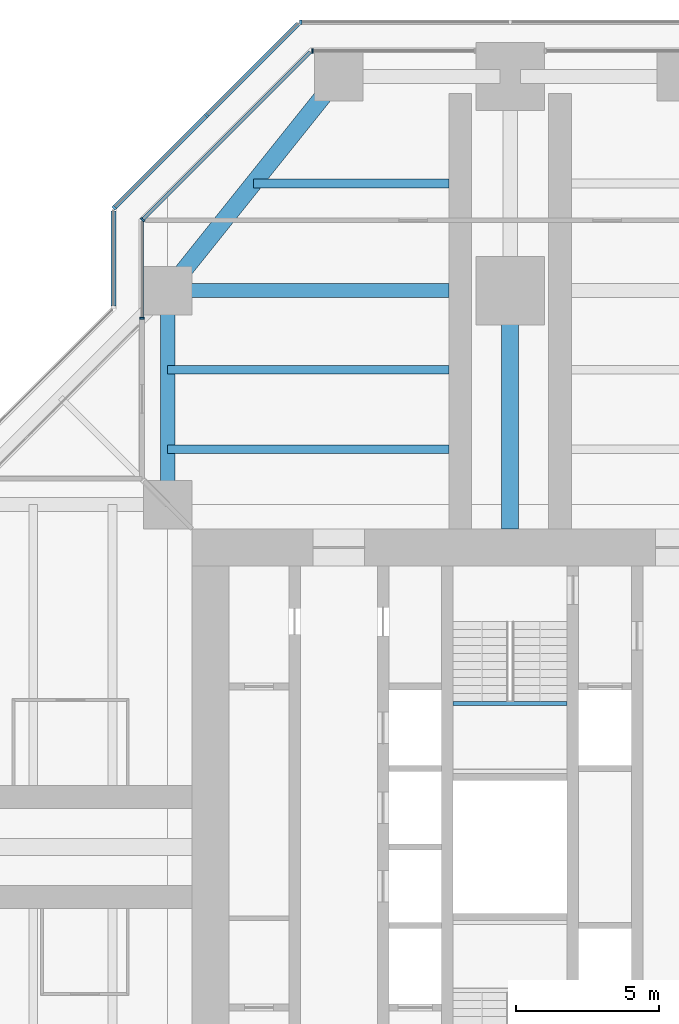
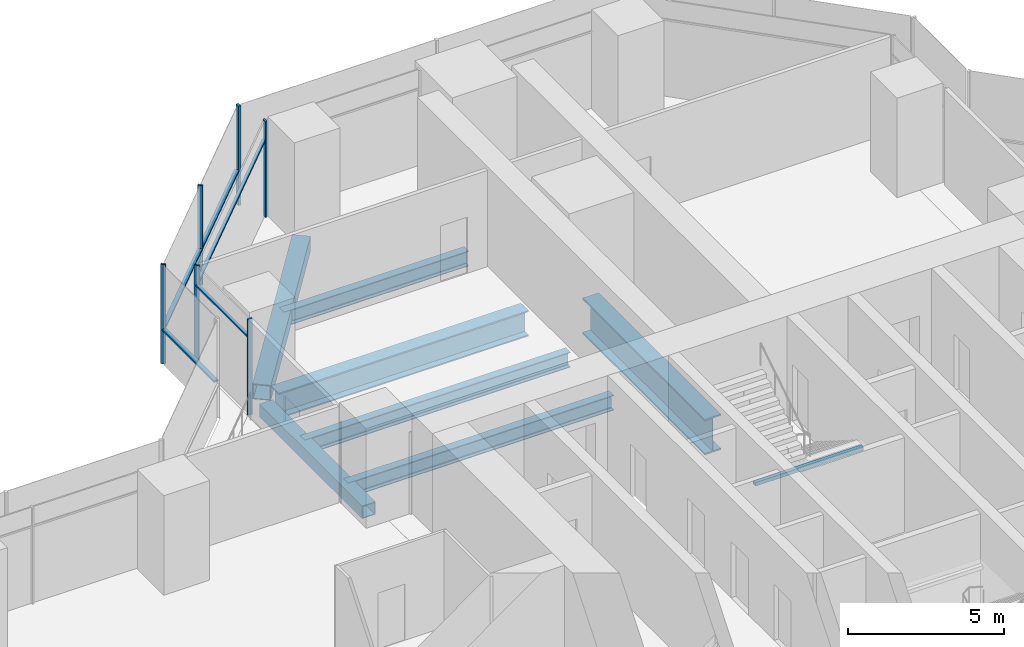
# One storey, part 8 of 19: 11 members, 8 beams, 6 elements without a shape of their own.
"""IFC4 building model written with IfcOpenShell, lengths in metres."""

from ifc_helpers import new_model, si_unit, direction, frame, origin, origin_2d, place, context, subcontext, project, spatial, rectangle, hollow_rectangle, i_section, extrude, material, material_profile, profile_set, type_object, element, aggregate, save


model = new_model("IFC4")

# Units and contexts
model_context = context("Model", 3, precision=1e-05, world=origin(), true_north=direction((0.0, 1.0)))
body_context = subcontext(model_context, "Body", "Model", "MODEL_VIEW")
ifc_project = project(units=[si_unit("LENGTHUNIT", "METRE"), si_unit("AREAUNIT", "SQUARE_METRE"), si_unit("VOLUMEUNIT", "CUBIC_METRE"), si_unit("PLANEANGLEUNIT", "RADIAN"), si_unit("MASSUNIT", "GRAM", prefix="KILO")], contexts=[model_context])

# Site, building, storey
site_placement = place(None, origin())
site = spatial("IfcSite", under=ifc_project, at=site_placement, CompositionType="ELEMENT")
building_placement = place(site_placement, origin())
building = spatial("IfcBuilding", under=site, at=building_placement, Name="Mizan Broadcast Tower", CompositionType="ELEMENT")
storey_placement = place(building_placement, frame((0.0, 0.0, 128.10009765625)))
storey = spatial("IfcBuildingStorey", under=building, at=storey_placement, Name="L28", CompositionType="ELEMENT", Elevation=128.10009765625)

# Beams
ifc_material_1 = material(Name="Steel S355", Category="steel")
ifc_material_profile_1 = material_profile(ifc_material_1, hollow_rectangle(XDim=0.5, YDim=0.5, WallThickness=0.030029296875, at=origin_2d()), Name="BOX 500x500x30")
ifc_profile_set_1 = profile_set([ifc_material_profile_1], Name="Steel S355")
beam_type_1 = type_object("IfcBeamType", Name="EDGE BEAM BOX 500x500x30", PredefinedType="SPANDREL", material=ifc_profile_set_1)
beam_1_placement = place(storey_placement, frame((-12.0, 12.449951171875, -0.380126953125), z_axis=(0.0, 1.0, 0.0), x_axis=(-1.0, 0.0, 0.0)))
element("IfcBeam", 1, at=beam_1_placement, inside=storey, type_object=beam_type_1, Name="Edge beam BOX 500x500x30 L28 north arm", PredefinedType="SPANDREL", context=body_context, shape_type="SweptSolid", body=[
    extrude(hollow_rectangle(XDim=0.5, YDim=0.5, WallThickness=0.030029296875, at=origin_2d()), origin(), (0.0, 0.0, 1.0), 6.60009765625),
])
ifc_material_2 = material(Name="Steel S355", Category="steel")
ifc_material_profile_2 = material_profile(ifc_material_2, hollow_rectangle(XDim=0.60009765625, YDim=0.60009765625, WallThickness=0.030029296875, at=origin_2d()), Name="BOX 600x600x30")
ifc_profile_set_2 = profile_set([ifc_material_profile_2], Name="Steel S355")
beam_type_2 = type_object("IfcBeamType", Name="EDGE BEAM BOX 600x600x30", PredefinedType="SPANDREL", material=ifc_profile_set_2)
beam_2_placement = place(storey_placement, frame((-11.639892578125, 19.949951171875, -0.43017578125), z_axis=(0.624673911726, 0.780885717636, 0.0), x_axis=(-0.780885717636, 0.624673911726, 0.0)))
element("IfcBeam", 2, at=beam_2_placement, inside=storey, type_object=beam_type_2, Name="Edge beam BOX 600x600x30 L28 north arm", PredefinedType="SPANDREL", context=body_context, shape_type="SweptSolid", body=[
    extrude(hollow_rectangle(XDim=0.60009765625, YDim=0.60009765625, WallThickness=0.030029296875, at=origin_2d()), origin(), (0.0, 0.0, 1.0), 8.4521484375),
])
ifc_material_3 = material(Name="Steel S460", Category="steel")
ifc_material_profile_3 = material_profile(ifc_material_3, i_section(OverallWidth=0.5, OverallDepth=1.0, WebThickness=0.02490234375, FlangeThickness=0.050048828125, at=origin_2d()), Name="WPG 1000x500")
ifc_profile_set_3 = profile_set([ifc_material_profile_3], Name="Steel S460")
beam_type_3 = type_object("IfcBeamType", Name="GIRDER WPG 1000x500", PredefinedType="BEAM", material=ifc_profile_set_3)
beam_3_placement = place(storey_placement, frame((-11.408935546875, 19.5, -0.630126953125), z_axis=(1.0, 0.0, 0.0), x_axis=(0.0, 1.0, 0.0)))
element("IfcBeam", 3, at=beam_3_placement, inside=storey, type_object=beam_type_3, Name="Girder WPG 1000x500 L28 north arm", PredefinedType="BEAM", context=body_context, shape_type="SweptSolid", body=[
    extrude(i_section(OverallWidth=0.5, OverallDepth=1.0, WebThickness=0.02490234375, FlangeThickness=0.050048828125, at=origin_2d()), origin(), (0.0, 0.0, 1.0), 9.259033203125),
])
ifc_material_4 = material(Name="Steel S460", Category="steel")
ifc_material_profile_4 = material_profile(ifc_material_4, i_section(OverallWidth=0.60009765625, OverallDepth=1.39990234375, WebThickness=0.02490234375, FlangeThickness=0.06005859375, at=origin_2d()), Name="WPG 1400x600")
ifc_profile_set_4 = profile_set([ifc_material_profile_4], Name="Steel S460")
beam_type_4 = type_object("IfcBeamType", Name="GIRDER WPG 1400x600", PredefinedType="BEAM", material=ifc_profile_set_4)
beam_4_placement = place(storey_placement, frame((0.0, 11.14990234375, -0.830078125), z_axis=(0.0, 1.0, 0.0), x_axis=(-1.0, 0.0, 0.0)))
element("IfcBeam", 4, at=beam_4_placement, inside=storey, type_object=beam_type_4, Name="Girder WPG 1400x600 L28 north arm", PredefinedType="BEAM", context=body_context, shape_type="SweptSolid", body=[
    extrude(i_section(OverallWidth=0.60009765625, OverallDepth=1.39990234375, WebThickness=0.02490234375, FlangeThickness=0.06005859375, at=origin_2d()), origin(), (0.0, 0.0, 1.0), 7.84912109375),
])

# Curtain wall, member
ifc_material_5 = material(Name="Aluminium framed glazing", Category="aluminium")
curtain_wall_type_1 = type_object("IfcCurtainWallType", Name="INNER SKIN MID ZONE", PredefinedType="USERDEFINED", material=ifc_material_5)
curtain_wall_1_placement = place(storey_placement, origin())
curtain_wall_1 = element("IfcCurtainWall", 5, at=curtain_wall_1_placement, inside=storey, type_object=curtain_wall_type_1, Name="Inner skin mid zone L28 N end", ObjectType="INNER SKIN MID ZONE", PredefinedType="USERDEFINED")
ifc_material_6 = material(Name="Aluminium, pale anodised", Category="aluminium")
ifc_material_profile_5 = material_profile(ifc_material_6, rectangle(XDim=0.159912109375, YDim=0.06005859375, at=origin_2d()), Name="MULLION 160x60")
ifc_profile_set_5 = profile_set([ifc_material_profile_5], Name="Aluminium, pale anodised")
member_type_1 = type_object("IfcMemberType", Name="INNER SKIN MULLION 60x160", PredefinedType="MULLION", material=ifc_profile_set_5)
member_1_placement = place(storey_placement, frame((-6.928466796875, 27.89990234375, 0.0), z_axis=(0.0, 0.0, 1.0), x_axis=(0.0, -1.0, 0.0)))
member_1 = element("IfcMember", 6, at=member_1_placement, type_object=member_type_1, Name="Inner skin mid zone L28 N end mullion 2", PredefinedType="MULLION", context=body_context, shape_type="SweptSolid", body=[
    extrude(rectangle(XDim=0.159912109375, YDim=0.06005859375, at=origin_2d()), origin(), (0.0, 0.0, 1.0), 3.77001953125),
])
aggregate(curtain_wall_1, [member_1])

curtain_wall_2_placement = place(storey_placement, origin())
curtain_wall_2 = element("IfcCurtainWall", 7, at=curtain_wall_2_placement, inside=storey, type_object=curtain_wall_type_1, Name="Inner skin mid zone L28 N chamfer", ObjectType="INNER SKIN MID ZONE", PredefinedType="USERDEFINED")
member_2_placement = place(storey_placement, frame((-12.87890625, 21.979736328125, 0.0), z_axis=(0.0, 0.0, 1.0), x_axis=(0.707106781187, -0.707106781187, 0.0)))
member_2 = element("IfcMember", 8, at=member_2_placement, type_object=member_type_1, Name="Inner skin mid zone L28 N chamfer mullion 2", PredefinedType="MULLION", context=body_context, shape_type="SweptSolid", body=[
    extrude(rectangle(XDim=0.159912109375, YDim=0.06005859375, at=origin_2d()), origin(), (0.0, 0.0, 1.0), 3.77001953125),
])

curtain_wall_3_placement = place(storey_placement, origin())
curtain_wall_3 = element("IfcCurtainWall", 9, at=curtain_wall_3_placement, inside=storey, type_object=curtain_wall_type_1, Name="Inner skin mid zone L28 N side", ObjectType="INNER SKIN MID ZONE", PredefinedType="USERDEFINED")
member_3_placement = place(storey_placement, frame((-12.89990234375, 18.530029296875, 0.0), z_axis=(0.0, 0.0, 1.0), x_axis=(1.0, 0.0, 0.0)))
member_3 = element("IfcMember", 10, at=member_3_placement, type_object=member_type_1, Name="Inner skin mid zone L28 N side mullion 2", PredefinedType="MULLION", context=body_context, shape_type="SweptSolid", body=[
    extrude(rectangle(XDim=0.159912109375, YDim=0.06005859375, at=origin_2d()), origin(), (0.0, 0.0, 1.0), 3.77001953125),
])

# Member
ifc_material_7 = material(Name="Aluminium, pale anodised", Category="aluminium")
ifc_material_profile_6 = material_profile(ifc_material_7, rectangle(XDim=0.1201171875, YDim=0.06005859375, at=origin_2d()), Name="TRANSOM 120x60")
ifc_profile_set_6 = profile_set([ifc_material_profile_6], Name="Aluminium, pale anodised")
member_type_2 = type_object("IfcMemberType", Name="INNER SKIN TRANSOM 60x120", PredefinedType="USERDEFINED", material=ifc_profile_set_6)
member_4_placement = place(storey_placement, frame((-7.0009765625, 27.857666015625, 3.02978515625), z_axis=(-0.707106781187, -0.707106781187, 0.0), x_axis=(0.707106781187, -0.707106781187, 0.0)))
member_4 = element("IfcMember", 11, at=member_4_placement, type_object=member_type_2, Name="Inner skin mid zone L28 N chamfer transom 1.1", ObjectType="TRANSOM", PredefinedType="USERDEFINED", context=body_context, shape_type="SweptSolid", body=[
    extrude(rectangle(XDim=0.1201171875, YDim=0.06005859375, at=origin_2d()), origin(), (0.0, 0.0, 1.0), 8.28271484375),
])

aggregate(curtain_wall_2, [member_2, member_4])

member_5_placement = place(storey_placement, frame((-12.89990234375, 21.898681640625, 3.02978515625), z_axis=(0.0, -1.0, 0.0), x_axis=(1.0, 0.0, 0.0)))
member_5 = element("IfcMember", 12, at=member_5_placement, type_object=member_type_2, Name="Inner skin mid zone L28 N side transom 1.1", ObjectType="TRANSOM", PredefinedType="USERDEFINED", context=body_context, shape_type="SweptSolid", body=[
    extrude(rectangle(XDim=0.1201171875, YDim=0.06005859375, at=origin_2d()), origin(), (0.0, 0.0, 1.0), 3.338623046875),
])

aggregate(curtain_wall_3, [member_3, member_5])

# Beam
ifc_material_8 = material(Name="Steel S355", Category="steel")
ifc_material_profile_7 = material_profile(ifc_material_8, hollow_rectangle(XDim=0.14990234375, YDim=0.14990234375, WallThickness=0.008056640625, InnerFilletRadius=0.008056640625, OuterFilletRadius=0.011962890625, at=origin_2d()), Name="SHS 150x150x8")
ifc_profile_set_7 = profile_set([ifc_material_profile_7], Name="Steel S355")
beam_type_5 = type_object("IfcBeamType", Name="LANDING TRIMMER SHS 150x150x8", PredefinedType="BEAM", material=ifc_profile_set_7)
beam_5_placement = place(storey_placement, frame((2.0, 5.02490234375, 1.6748046875), z_axis=(-1.0, 0.0, 0.0), x_axis=(0.0, -1.0, 0.0)))
element("IfcBeam", 13, at=beam_5_placement, inside=storey, type_object=beam_type_5, Name="Stair B landing trimmer L28", PredefinedType="BEAM", context=body_context, shape_type="SweptSolid", body=[
    extrude(hollow_rectangle(XDim=0.14990234375, YDim=0.14990234375, WallThickness=0.008056640625, InnerFilletRadius=0.008056640625, OuterFilletRadius=0.011962890625, at=origin_2d()), origin(), (0.0, 0.0, 1.0), 4.0),
])

# Curtain wall, member
ifc_material_9 = material(Name="Aluminium framed glazing", Category="aluminium")
curtain_wall_type_2 = type_object("IfcCurtainWallType", Name="OUTER SKIN", PredefinedType="USERDEFINED", material=ifc_material_9)
curtain_wall_4_placement = place(storey_placement, origin())
curtain_wall_4 = element("IfcCurtainWall", 14, at=curtain_wall_4_placement, inside=storey, type_object=curtain_wall_type_2, Name="Outer skin L28 N end", ObjectType="OUTER SKIN", PredefinedType="USERDEFINED")
ifc_material_10 = material(Name="Aluminium, pale anodised", Category="aluminium")
ifc_material_profile_8 = material_profile(ifc_material_10, rectangle(XDim=0.159912109375, YDim=0.080078125, at=origin_2d()), Name="MULLION 160x80")
ifc_profile_set_8 = profile_set([ifc_material_profile_8], Name="Aluminium, pale anodised")
member_type_3 = type_object("IfcMemberType", Name="OUTER SKIN MULLION 80x160", PredefinedType="MULLION", material=ifc_profile_set_8)
member_6_placement = place(storey_placement, frame((-7.332763671875, 28.89990234375, 0.0), z_axis=(0.0, 0.0, 1.0), x_axis=(0.0, -1.0, 0.0)))
member_6 = element("IfcMember", 15, at=member_6_placement, type_object=member_type_3, Name="Outer skin L28 N end mullion 3", PredefinedType="MULLION", context=body_context, shape_type="SweptSolid", body=[
    extrude(rectangle(XDim=0.159912109375, YDim=0.080078125, at=origin_2d()), origin(), (0.0, 0.0, 1.0), 3.89990234375),
])
aggregate(curtain_wall_4, [member_6])

# Curtain wall, members
curtain_wall_5_placement = place(storey_placement, origin())
curtain_wall_5 = element("IfcCurtainWall", 16, at=curtain_wall_5_placement, inside=storey, type_object=curtain_wall_type_2, Name="Outer skin L28 N chamfer", ObjectType="OUTER SKIN", PredefinedType="USERDEFINED")
member_7_placement = place(storey_placement, frame((-10.636474609375, 25.636474609375, 0.0), z_axis=(0.0, 0.0, 1.0), x_axis=(0.707106781187, -0.707106781187, 0.0)))
member_7 = element("IfcMember", 17, at=member_7_placement, type_object=member_type_3, Name="Outer skin L28 N chamfer mullion 2", PredefinedType="MULLION", context=body_context, shape_type="SweptSolid", body=[
    extrude(rectangle(XDim=0.159912109375, YDim=0.080078125, at=origin_2d()), origin(), (0.0, 0.0, 1.0), 3.89990234375),
])
member_8_placement = place(storey_placement, frame((-13.871826171875, 22.401123046875, 0.0), z_axis=(0.0, 0.0, 1.0), x_axis=(0.707106781187, -0.707106781187, 0.0)))
member_8 = element("IfcMember", 18, at=member_8_placement, type_object=member_type_3, Name="Outer skin L28 N chamfer mullion 3", PredefinedType="MULLION", context=body_context, shape_type="SweptSolid", body=[
    extrude(rectangle(XDim=0.159912109375, YDim=0.080078125, at=origin_2d()), origin(), (0.0, 0.0, 1.0), 3.89990234375),
])
ifc_material_11 = material(Name="Aluminium, pale anodised", Category="aluminium")
ifc_material_profile_9 = material_profile(ifc_material_11, rectangle(XDim=0.159912109375, YDim=0.06005859375, at=origin_2d()), Name="TRANSOM 160x60")
ifc_profile_set_9 = profile_set([ifc_material_profile_9], Name="Aluminium, pale anodised")
member_type_4 = type_object("IfcMemberType", Name="OUTER SKIN TRANSOM 60x160", PredefinedType="USERDEFINED", material=ifc_profile_set_9)
member_9_placement = place(storey_placement, frame((-7.429443359375, 28.843505859375, 1.39990234375), z_axis=(-0.707106781187, -0.707106781187, 0.0), x_axis=(0.707106781187, -0.707106781187, 0.0)))
member_9 = element("IfcMember", 19, at=member_9_placement, type_object=member_type_4, Name="Outer skin L28 N chamfer transom 1.1", ObjectType="TRANSOM", PredefinedType="USERDEFINED", context=body_context, shape_type="SweptSolid", body=[
    extrude(rectangle(XDim=0.159912109375, YDim=0.06005859375, at=origin_2d()), origin(), (0.0, 0.0, 1.0), 4.495361328125),
])
member_10_placement = place(storey_placement, frame((-10.664794921875, 25.608154296875, 1.39990234375), z_axis=(-0.707106781187, -0.707106781187, 0.0), x_axis=(0.707106781187, -0.707106781187, 0.0)))
member_10 = element("IfcMember", 20, at=member_10_placement, type_object=member_type_4, Name="Outer skin L28 N chamfer transom 2.1", ObjectType="TRANSOM", PredefinedType="USERDEFINED", context=body_context, shape_type="SweptSolid", body=[
    extrude(rectangle(XDim=0.159912109375, YDim=0.06005859375, at=origin_2d()), origin(), (0.0, 0.0, 1.0), 4.495361328125),
])
aggregate(curtain_wall_5, [member_7, member_8, member_9, member_10])

# Curtain wall, member
curtain_wall_6_placement = place(storey_placement, origin())
curtain_wall_6 = element("IfcCurtainWall", 21, at=curtain_wall_6_placement, inside=storey, type_object=curtain_wall_type_2, Name="Outer skin L28 N side", ObjectType="OUTER SKIN", PredefinedType="USERDEFINED")
member_11_placement = place(storey_placement, frame((-13.89990234375, 22.292724609375, 1.39990234375), z_axis=(0.0, -1.0, 0.0), x_axis=(1.0, 0.0, 0.0)))
member_11 = element("IfcMember", 22, at=member_11_placement, type_object=member_type_4, Name="Outer skin L28 N side transom 1.1", ObjectType="TRANSOM", PredefinedType="USERDEFINED", context=body_context, shape_type="SweptSolid", body=[
    extrude(rectangle(XDim=0.159912109375, YDim=0.06005859375, at=origin_2d()), origin(), (0.0, 0.0, 1.0), 3.33984375),
])
aggregate(curtain_wall_6, [member_11])

# Beams
ifc_material_12 = material(Name="Steel S355", Category="steel")
ifc_material_profile_10 = material_profile(ifc_material_12, i_section(OverallWidth=0.300048828125, OverallDepth=0.590087890625, WebThickness=0.012939453125, FlangeThickness=0.02490234375, FilletRadius=0.027099609375, at=origin_2d()), Name="HEA 600")
ifc_profile_set_10 = profile_set([ifc_material_profile_10], Name="Steel S355")
beam_type_6 = type_object("IfcBeamType", Name="SECONDARY BEAM HEA 600", PredefinedType="JOIST", material=ifc_profile_set_10)
for number, where, z_axis, x_axis, name in (
    (23, (-12.0, 13.933349609375, -0.425048828125), (1.0, 0.0, 0.0), (0.0, 1.0, 0.0), "Secondary beam HEA 600 L28 north arm"),
    (24, (-12.0, 16.716552734375, -0.425048828125), (1.0, 0.0, 0.0), (0.0, 1.0, 0.0), "Secondary beam HEA 600 L28 north arm"),
):
    element("IfcBeam", number, at=place(storey_placement, frame(where, z_axis=z_axis, x_axis=x_axis)), inside=storey, type_object=beam_type_6, Name=name, PredefinedType="JOIST", context=body_context, shape_type="SweptSolid", body=[
        extrude(i_section(OverallWidth=0.300048828125, OverallDepth=0.590087890625, WebThickness=0.012939453125, FlangeThickness=0.02490234375, FilletRadius=0.027099609375, at=origin_2d()), origin(), (0.0, 0.0, 1.0), 9.85009765625),
    ])
beam_6_placement = place(storey_placement, frame((-9.0, 23.25, -0.425048828125), z_axis=(1.0, 0.0, 0.0), x_axis=(0.0, 1.0, 0.0)))
element("IfcBeam", 25, at=beam_6_placement, inside=storey, type_object=beam_type_6, Name="Secondary beam HEA 600 L28 north arm", PredefinedType="JOIST", context=body_context, shape_type="SweptSolid", body=[
    extrude(i_section(OverallWidth=0.300048828125, OverallDepth=0.590087890625, WebThickness=0.012939453125, FlangeThickness=0.02490234375, FilletRadius=0.027099609375, at=origin_2d()), origin(), (0.0, 0.0, 1.0), 6.85009765625),
])

save(model, "model.ifc")
